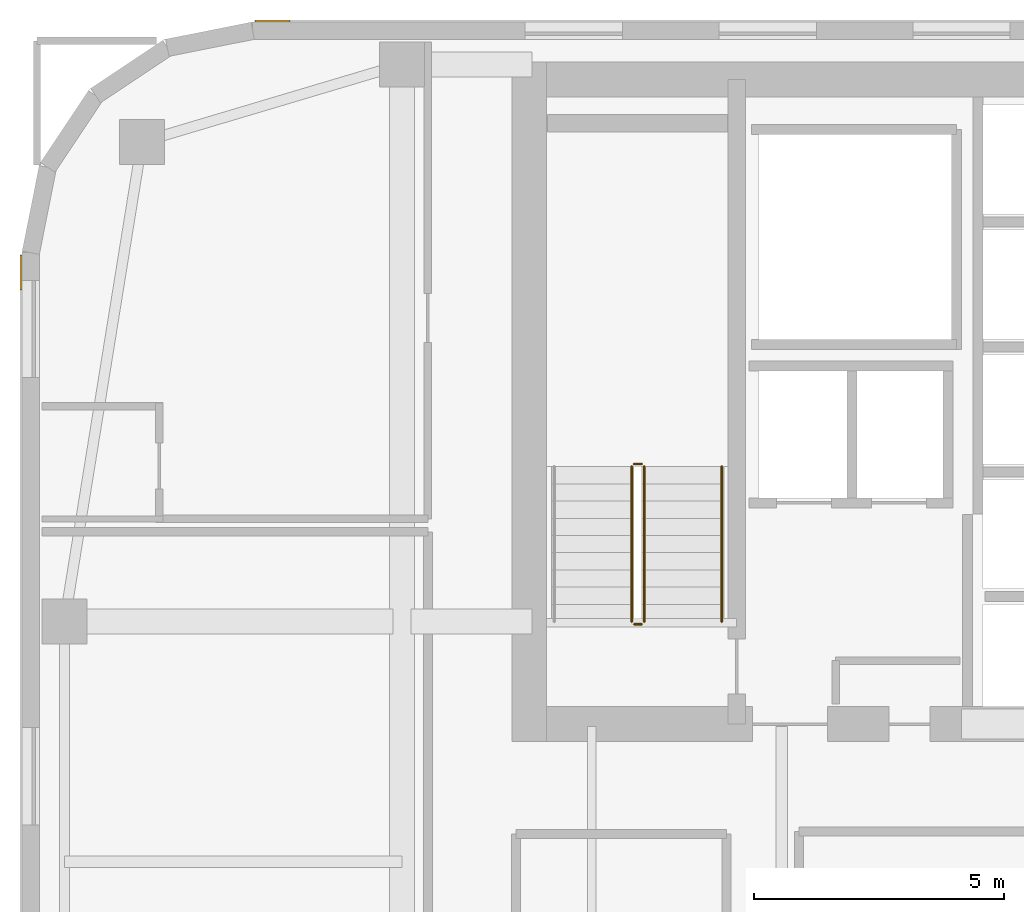
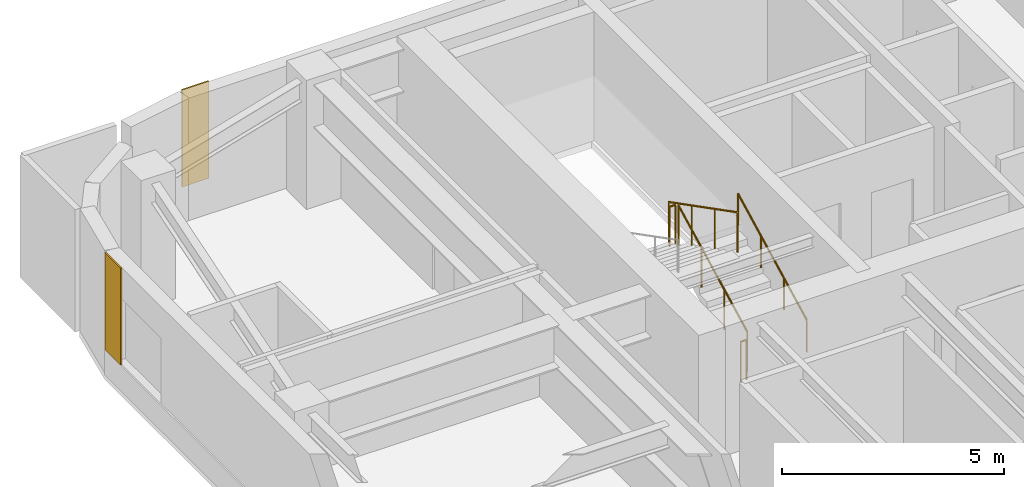
# One storey, part 23 of 25: 5 railings, 2 coverings.
"""IFC4 building model written with IfcOpenShell, lengths in metres."""

import ifcopenshell
import ifcopenshell.guid

model = None  # the IFC model being written
_history = None  # IfcOwnerHistory: only IFC2X3 demands one
_inside = {}  # id of a spatial element -> (the spatial element, [elements in it])
_under = {}  # id of a project, library or spatial element -> (it, [spatial elements below it])
_declared = {}  # id of a project -> (the project, [libraries it declares])
_typed = {}  # id of a type object -> (the type object, [elements of that type])
_made_of = {}  # id of a material, layer set ... -> (it, [elements and type objects made of it])


def new_model(schema):
    """Start an empty IFC model of exactly this schema.

    Asked for "IFC4X3", IfcOpenShell would pick the latest addendum, in which some entities
    have other attributes; the version numbers below select the first issue.
    IFC2X3 requires an IfcOwnerHistory on every rooted entity: one is made here for all.
    """
    global model, _history
    if schema == "IFC4X3":
        model = ifcopenshell.file(schema_version=(4, 3, 0, 0))
    else:
        model = ifcopenshell.file(schema=schema)
    _inside.clear()
    _under.clear()
    _declared.clear()
    _typed.clear()
    _made_of.clear()
    _history = None
    if model.schema == "IFC2X3":
        org = make("IfcOrganization", Name="unknown")
        user = make(
            "IfcPersonAndOrganization",
            ThePerson=make("IfcPerson", FamilyName="unknown"),
            TheOrganization=org,
        )
        app = make(
            "IfcApplication",
            ApplicationDeveloper=org,
            Version="unknown",
            ApplicationFullName="unknown",
            ApplicationIdentifier="unknown",
        )
        _history = make(
            "IfcOwnerHistory",
            OwningUser=user,
            OwningApplication=app,
            ChangeAction="ADDED",
            CreationDate=0,
        )
    return model


def make(cls, **values):
    """One entity of the class cls with the attributes given. An attribute that is None is left unset."""
    return model.create_entity(
        cls, **{name: value for name, value in values.items() if value is not None}
    )


def rooted(cls, **values):
    """An entity with a GlobalId (a new one), such as an element, a storey or a relation."""
    return make(cls, GlobalId=ifcopenshell.guid.new(), OwnerHistory=_history, **values)


def si_unit(unit_type, name, prefix=None):
    """IfcSIUnit, for example si_unit("LENGTHUNIT", "METRE", prefix="MILLI")."""
    return make("IfcSIUnit", UnitType=unit_type, Prefix=prefix, Name=name)


def assignment(units):
    """IfcUnitAssignment: the units of a project."""
    return None if units is None else make("IfcUnitAssignment", Units=units)


def point(xyz):
    """IfcCartesianPoint."""
    return None if xyz is None else make("IfcCartesianPoint", Coordinates=xyz)


def direction(xyz):
    """IfcDirection."""
    return None if xyz is None else make("IfcDirection", DirectionRatios=xyz)


def frame(location, z_axis=None, x_axis=None):
    """IfcAxis2Placement3D, a coordinate frame: its origin and axes. An axis left out is left unset."""
    return make(
        "IfcAxis2Placement3D",
        Location=point(location),
        Axis=direction(z_axis),
        RefDirection=direction(x_axis),
    )


def frame_2d(location, x_axis=None):
    """IfcAxis2Placement2D, a coordinate frame in the plane: its origin and x axis."""
    return make(
        "IfcAxis2Placement2D", Location=point(location), RefDirection=direction(x_axis)
    )


def origin():
    """The frame at (0, 0, 0) with its axes left unset."""
    return frame((0.0, 0.0, 0.0))


def origin_2d():
    """The frame at (0, 0) in the plane with its x axis left unset."""
    return frame_2d((0.0, 0.0))


def place(relative_to, where):
    """IfcLocalPlacement: puts the frame where relative to a parent placement (None: the world)."""
    return make(
        "IfcLocalPlacement", PlacementRelTo=relative_to, RelativePlacement=where
    )


def context(
    kind, dimensions, precision=None, world=None, true_north=None, identifier=None
):
    """IfcGeometricRepresentationContext, for example the 3D "Model" context."""
    return make(
        "IfcGeometricRepresentationContext",
        ContextIdentifier=identifier,
        ContextType=kind,
        CoordinateSpaceDimension=dimensions,
        Precision=precision,
        WorldCoordinateSystem=world,
        TrueNorth=true_north,
    )


def subcontext(parent, identifier, kind, view, scale=None):
    """IfcGeometricRepresentationSubContext, for example "Body" below "Model"."""
    return make(
        "IfcGeometricRepresentationSubContext",
        ContextIdentifier=identifier,
        ContextType=kind,
        ParentContext=parent,
        TargetScale=scale,
        TargetView=view,
    )


def project(units=None, contexts=None):
    """IfcProject with its units and contexts."""
    return rooted(
        "IfcProject",
        Name="project",
        RepresentationContexts=contexts,
        UnitsInContext=assignment(units),
    )


def spatial(cls, under=None, at=None, **own):
    """A site, building, storey or space (cls), placed at a placement, below another one or the project."""
    s = rooted(cls, ObjectPlacement=at, **own)
    if under is not None:
        _under.setdefault(under.id(), (under, []))[1].append(s)
    return s


def polyline(points):
    """IfcPolyline through the points."""
    return make("IfcPolyline", Points=[point(p) for p in points])


def profile(cls, at=None, kind="AREA", **sizes):
    """A parametric profile (cls). Its sizes go by their IFC names, for example OverallWidth=200.0."""
    return make(cls, ProfileType=kind, Position=at, **sizes)


def circle(**sizes):
    """IfcCircleProfileDef."""
    return profile("IfcCircleProfileDef", **sizes)


def outline(outer, holes=None, kind="AREA"):
    """IfcArbitraryClosedProfileDef: a profile drawn as a closed curve; with holes, ...WithVoids."""
    if holes is None:
        return make("IfcArbitraryClosedProfileDef", ProfileType=kind, OuterCurve=outer)
    return make(
        "IfcArbitraryProfileDefWithVoids",
        ProfileType=kind,
        OuterCurve=outer,
        InnerCurves=holes,
    )


def extrude(swept, where, along, depth):
    """IfcExtrudedAreaSolid: the profile swept, set in the frame where, extruded along a direction by depth."""
    return make(
        "IfcExtrudedAreaSolid",
        SweptArea=swept,
        Position=where,
        ExtrudedDirection=direction(along),
        Depth=depth,
    )


def shape(context_of_items, identifier, shape_type, items):
    """IfcShapeRepresentation: the items that make up one representation, for example the "Body"."""
    return make(
        "IfcShapeRepresentation",
        ContextOfItems=context_of_items,
        RepresentationIdentifier=identifier,
        RepresentationType=shape_type,
        Items=items,
    )


def material(Name=None, Category=None):
    """IfcMaterial."""
    return make("IfcMaterial", Name=Name, Category=Category)


def layer(
    of_material, thickness, ventilated=None, Name=None, Category=None, Priority=None
):
    """IfcMaterialLayer: one layer of a wall or slab, of a material (None: an air gap)."""
    return make(
        "IfcMaterialLayer",
        Material=of_material,
        LayerThickness=thickness,
        IsVentilated=ventilated,
        Name=Name,
        Category=Category,
        Priority=Priority,
    )


def layer_set(layers, Name=None):
    """IfcMaterialLayerSet."""
    return make("IfcMaterialLayerSet", MaterialLayers=layers, LayerSetName=Name)


def made_of(thing, what):
    """Note that an element or type object is made of a material, layer set ...; save() writes the relation."""
    if what is not None:
        _made_of.setdefault(what.id(), (what, []))[1].append(thing)
    return thing


def type_object(cls, material=None, **own):
    """A type object (cls), such as IfcWallType, which elements share."""
    return made_of(rooted(cls, **own), material)


def element(
    cls,
    number,
    at=None,
    inside=None,
    cuts=None,
    type_object=None,
    material=None,
    context=None,
    identifier="Body",
    shape_type=None,
    held_by="IfcProductDefinitionShape",
    body=None,
    shapes=None,
    **own,
):
    """One element of the class cls, such as IfcWall. Its Tag is "e" and its number.

    at: its placement. inside: the storey or other place that contains it. cuts: it is an
    opening in that element (IfcRelVoidsElement). A single representation is given by context,
    identifier, shape_type and body (its items); several are given by shapes. held_by: the class
    of the entity that holds the representations. save() writes the other relations.
    """
    e = rooted(cls, Tag="e%d" % number, ObjectPlacement=at, **own)
    if body is not None:
        shapes = [shape(context, identifier, shape_type, body)]
    if shapes is not None:
        e.Representation = make(held_by, Representations=shapes)
    if inside is not None:
        _inside.setdefault(inside.id(), (inside, []))[1].append(e)
    if cuts is not None:
        rooted(
            "IfcRelVoidsElement", RelatingBuildingElement=cuts, RelatedOpeningElement=e
        )
    if type_object is not None:
        _typed.setdefault(type_object.id(), (type_object, []))[1].append(e)
    return made_of(e, material)


def aggregate(whole, parts):
    """IfcRelAggregates: a whole, such as a stair, and the parts it consists of."""
    return rooted("IfcRelAggregates", RelatingObject=whole, RelatedObjects=parts)


def save(model, path):
    """Write the relations noted so far, then the file.

    IfcRelAggregates (storeys below a building ...), IfcRelContainedInSpatialStructure (elements
    in a storey), IfcRelDefinesByType, IfcRelAssociatesMaterial and IfcRelDeclares: one each for
    every whole, place, type object, material and project.
    """
    for whole, parts in _under.values():
        aggregate(whole, parts)
    for where, things in _inside.values():
        rooted(
            "IfcRelContainedInSpatialStructure",
            RelatedElements=things,
            RelatingStructure=where,
        )
    for kind, things in _typed.values():
        rooted("IfcRelDefinesByType", RelatedObjects=things, RelatingType=kind)
    for what, things in _made_of.values():
        rooted("IfcRelAssociatesMaterial", RelatedObjects=things, RelatingMaterial=what)
    for by, libraries in _declared.values():
        rooted("IfcRelDeclares", RelatingContext=by, RelatedDefinitions=libraries)
    model.write(path)


model = new_model("IFC4")

# Units and contexts
model_context = context("Model", 3, precision=1e-05, world=origin(), true_north=direction((0.0, 1.0)))
body_context = subcontext(model_context, "Body", "Model", "MODEL_VIEW")
ifc_project = project(units=[si_unit("LENGTHUNIT", "METRE"), si_unit("AREAUNIT", "SQUARE_METRE"), si_unit("VOLUMEUNIT", "CUBIC_METRE"), si_unit("PLANEANGLEUNIT", "RADIAN"), si_unit("MASSUNIT", "GRAM", prefix="KILO")], contexts=[model_context])

# Site, building, storey
site_placement = place(None, origin())
site = spatial("IfcSite", under=ifc_project, at=site_placement, CompositionType="ELEMENT")
building_placement = place(site_placement, origin())
building = spatial("IfcBuilding", under=site, at=building_placement, Name="Tolvann Quenvar Hotel", CompositionType="ELEMENT")
storey_placement = place(building_placement, frame((0.0, 0.0, 132.85009765625)))
storey = spatial("IfcBuildingStorey", under=building, at=storey_placement, Name="L34", CompositionType="ELEMENT", Elevation=132.85009765625)

# Coverings
ifc_material_1 = material(Name="Kiln-fired red architectural face brick cladding", Category="masonry")
ifc_layer = layer(ifc_material_1, 0.0400390625)
ifc_layer_set = layer_set([ifc_layer], Name="Kiln-fired red architectural face brick cladding")
covering_type = type_object("IfcCoveringType", Name="COV_CLAD_BRICK_40", PredefinedType="CLADDING", material=ifc_layer_set)
covering_1_placement = place(storey_placement, frame((0.0, 0.0, 0.699951171875)))
element("IfcCovering", 1, at=covering_1_placement, inside=storey, type_object=covering_type, Name="Brick Pier Cladding (L34-E18-P2)", PredefinedType="CLADDING", context=body_context, shape_type="SweptSolid", body=[
    extrude(outline(polyline([(5.3671875, 46.0), (4.667236328125, 46.0), (4.667236328125, 46.0400390625), (5.3671875, 46.0400390625), (5.3671875, 46.0)])), origin(), (0.0, 0.0, 1.0), 2.669921875),
])
covering_2_placement = place(storey_placement, frame((0.0, 0.0, 0.699951171875)))
element("IfcCovering", 2, at=covering_2_placement, inside=storey, type_object=covering_type, Name="Brick Pier Cladding (L34-E23-P1)", PredefinedType="CLADDING", context=body_context, shape_type="SweptSolid", body=[
    extrude(outline(polyline([(0.0, 41.332763671875), (0.0, 40.6328125), (-0.0400390625, 40.6328125), (-0.0400390625, 41.332763671875), (0.0, 41.332763671875)])), origin(), (0.0, 0.0, 1.0), 2.669921875),
])

# Railings
ifc_material_2 = material(Name="Brushed 316 stainless steel balustrade and handrail", Category="steel")
railing_type_1 = type_object("IfcRailingType", Name="GUARDRAIL", PredefinedType="GUARDRAIL", material=ifc_material_2)
railing_1_placement = place(storey_placement, frame((12.449951171875, 34.0, 0.177490234375)))
element("IfcRailing", 3, at=railing_1_placement, inside=storey, type_object=railing_type_1, Name="L34 ST-C1 stair guard 1", PredefinedType="GUARDRAIL", context=body_context, shape_type="SweptSolid", body=[
    extrude(circle(Radius=0.02392578125, at=origin_2d()), frame((0.0, 0.0, 1.09619140625), z_axis=(0.0, 0.889221982265, 0.45747597342), x_axis=(-1.0, 0.0, 0.0)), (0.0, 0.0, 1.0), 3.49169921875),
    extrude(circle(Radius=0.02099609375, at=origin_2d()), origin(), (0.0, 0.0, 1.0), 1.072021484375),
    extrude(circle(Radius=0.02099609375, at=origin_2d()), frame((0.0, 1.034912109375, 0.532470703125)), (0.0, 0.0, 1.0), 1.072021484375),
    extrude(circle(Radius=0.02099609375, at=origin_2d()), frame((0.0, 2.070068359375, 1.06494140625)), (0.0, 0.0, 1.0), 1.072021484375),
    extrude(circle(Radius=0.02099609375, at=origin_2d()), frame((0.0, 3.10498046875, 1.597412109375)), (0.0, 0.0, 1.0), 1.072021484375),
])
railing_2_placement = place(storey_placement, frame((12.39990234375, 37.155029296875, 1.77490234375)))
element("IfcRailing", 4, at=railing_2_placement, inside=storey, type_object=railing_type_1, Name="L34 ST-C1 stair guard 2", PredefinedType="GUARDRAIL", context=body_context, shape_type="SweptSolid", body=[
    extrude(circle(Radius=0.02392578125, at=origin_2d()), frame((0.0, 0.0, 1.09619140625), z_axis=(-1.0, 0.0, 0.0), x_axis=(0.0, -1.0, 0.0)), (0.0, 0.0, 1.0), 0.14990234375),
    extrude(circle(Radius=0.02099609375, at=origin_2d()), origin(), (0.0, 0.0, 1.0), 1.072021484375),
    extrude(circle(Radius=0.02099609375, at=origin_2d()), frame((-0.14990234375, 0.0, 0.0)), (0.0, 0.0, 1.0), 1.072021484375),
])
railing_3_placement = place(storey_placement, frame((12.199951171875, 37.10498046875, 1.952392578125)))
element("IfcRailing", 5, at=railing_3_placement, inside=storey, type_object=railing_type_1, Name="L34 ST-C1 stair guard 3", PredefinedType="GUARDRAIL", context=body_context, shape_type="SweptSolid", body=[
    extrude(circle(Radius=0.02392578125, at=origin_2d()), frame((0.0, 0.0, 1.09619140625), z_axis=(0.0, -0.889221982265, 0.45747597342), x_axis=(1.0, 0.0, 0.0)), (0.0, 0.0, 1.0), 3.49169921875),
    extrude(circle(Radius=0.02099609375, at=origin_2d()), origin(), (0.0, 0.0, 1.0), 1.072021484375),
    extrude(circle(Radius=0.02099609375, at=origin_2d()), frame((0.0, -1.034912109375, 0.532470703125)), (0.0, 0.0, 1.0), 1.072021484375),
    extrude(circle(Radius=0.02099609375, at=origin_2d()), frame((0.0, -2.070068359375, 1.06494140625)), (0.0, 0.0, 1.0), 1.072021484375),
    extrude(circle(Radius=0.02099609375, at=origin_2d()), frame((0.0, -3.10498046875, 1.597412109375)), (0.0, 0.0, 1.0), 1.072021484375),
])
railing_4_placement = place(storey_placement, frame((12.39990234375, 33.949951171875, 0.0)))
element("IfcRailing", 6, at=railing_4_placement, inside=storey, type_object=railing_type_1, Name="L34 ST-C1 stair guard 4", PredefinedType="GUARDRAIL", context=body_context, shape_type="SweptSolid", body=[
    extrude(circle(Radius=0.02392578125, at=origin_2d()), frame((0.0, 0.0, 1.09619140625), z_axis=(-1.0, 0.0, 0.0), x_axis=(0.0, -1.0, 0.0)), (0.0, 0.0, 1.0), 0.14990234375),
    extrude(circle(Radius=0.02099609375, at=origin_2d()), origin(), (0.0, 0.0, 1.0), 1.072021484375),
    extrude(circle(Radius=0.02099609375, at=origin_2d()), frame((-0.14990234375, 0.0, 0.0)), (0.0, 0.0, 1.0), 1.072021484375),
])
railing_type_2 = type_object("IfcRailingType", Name="HANDRAIL", PredefinedType="HANDRAIL", material=ifc_material_2)
railing_5_placement = place(storey_placement, frame((14.0, 34.0, 0.177490234375)))
element("IfcRailing", 7, at=railing_5_placement, inside=storey, type_object=railing_type_2, Name="L34 ST-C1 stair handrail 1", PredefinedType="HANDRAIL", context=body_context, shape_type="SweptSolid", body=[
    extrude(circle(Radius=0.02392578125, at=origin_2d()), frame((0.0, 0.0, 0.8759765625), z_axis=(0.0, 0.889221982265, 0.45747597342), x_axis=(-1.0, 0.0, 0.0)), (0.0, 0.0, 1.0), 3.49169921875),
    extrude(circle(Radius=0.02099609375, at=origin_2d()), origin(), (0.0, 0.0, 1.0), 0.851806640625),
    extrude(circle(Radius=0.02099609375, at=origin_2d()), frame((0.0, 1.034912109375, 0.532470703125)), (0.0, 0.0, 1.0), 0.851806640625),
    extrude(circle(Radius=0.02099609375, at=origin_2d()), frame((0.0, 2.070068359375, 1.06494140625)), (0.0, 0.0, 1.0), 0.851806640625),
    extrude(circle(Radius=0.02099609375, at=origin_2d()), frame((0.0, 3.10498046875, 1.597412109375)), (0.0, 0.0, 1.0), 0.851806640625),
])

save(model, "model.ifc")
